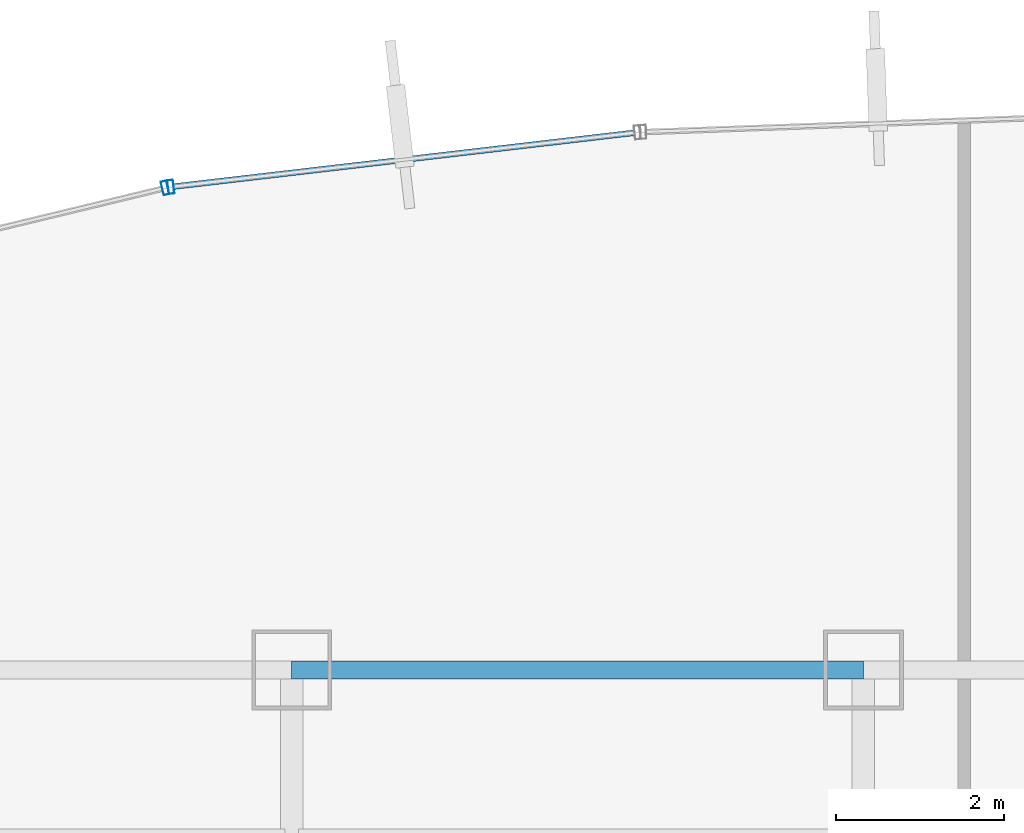
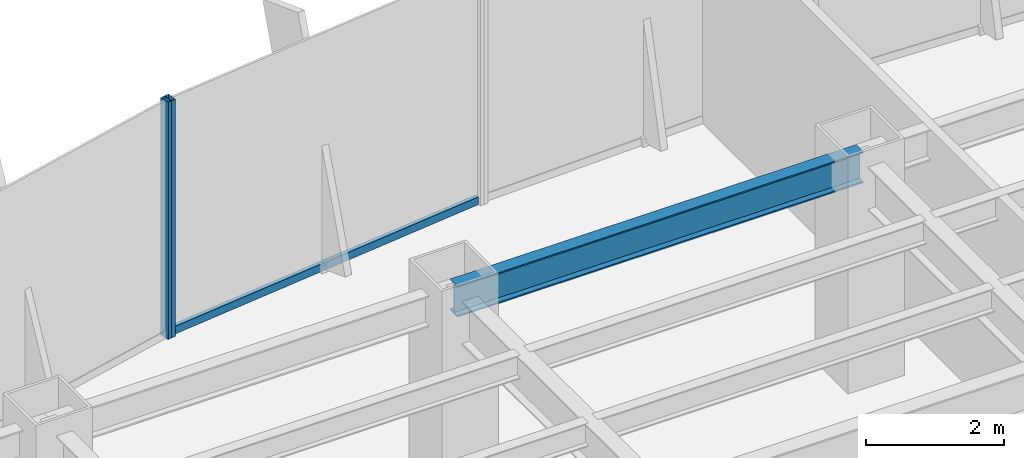
# One storey, part 20 of 35: 3 members, 1 beam, 2 elements without a shape of their own.
"""IFC4 building model written with IfcOpenShell, lengths in metres."""

import ifcopenshell
import ifcopenshell.guid

model = None  # the IFC model being written
_history = None  # IfcOwnerHistory: only IFC2X3 demands one
_inside = {}  # id of a spatial element -> (the spatial element, [elements in it])
_under = {}  # id of a project, library or spatial element -> (it, [spatial elements below it])
_declared = {}  # id of a project -> (the project, [libraries it declares])
_typed = {}  # id of a type object -> (the type object, [elements of that type])
_made_of = {}  # id of a material, layer set ... -> (it, [elements and type objects made of it])


def new_model(schema):
    """Start an empty IFC model of exactly this schema.

    Asked for "IFC4X3", IfcOpenShell would pick the latest addendum, in which some entities
    have other attributes; the version numbers below select the first issue.
    IFC2X3 requires an IfcOwnerHistory on every rooted entity: one is made here for all.
    """
    global model, _history
    if schema == "IFC4X3":
        model = ifcopenshell.file(schema_version=(4, 3, 0, 0))
    else:
        model = ifcopenshell.file(schema=schema)
    _inside.clear()
    _under.clear()
    _declared.clear()
    _typed.clear()
    _made_of.clear()
    _history = None
    if model.schema == "IFC2X3":
        org = make("IfcOrganization", Name="unknown")
        user = make(
            "IfcPersonAndOrganization",
            ThePerson=make("IfcPerson", FamilyName="unknown"),
            TheOrganization=org,
        )
        app = make(
            "IfcApplication",
            ApplicationDeveloper=org,
            Version="unknown",
            ApplicationFullName="unknown",
            ApplicationIdentifier="unknown",
        )
        _history = make(
            "IfcOwnerHistory",
            OwningUser=user,
            OwningApplication=app,
            ChangeAction="ADDED",
            CreationDate=0,
        )
    return model


def make(cls, **values):
    """One entity of the class cls with the attributes given. An attribute that is None is left unset."""
    return model.create_entity(
        cls, **{name: value for name, value in values.items() if value is not None}
    )


def rooted(cls, **values):
    """An entity with a GlobalId (a new one), such as an element, a storey or a relation."""
    return make(cls, GlobalId=ifcopenshell.guid.new(), OwnerHistory=_history, **values)


def si_unit(unit_type, name, prefix=None):
    """IfcSIUnit, for example si_unit("LENGTHUNIT", "METRE", prefix="MILLI")."""
    return make("IfcSIUnit", UnitType=unit_type, Prefix=prefix, Name=name)


def derived_unit(unit_type, elements):
    """IfcDerivedUnit: a product of units, each with its exponent."""
    return make(
        "IfcDerivedUnit",
        Elements=[
            make("IfcDerivedUnitElement", Unit=unit, Exponent=power)
            for unit, power in elements
        ],
        UnitType=unit_type,
    )


def assignment(units):
    """IfcUnitAssignment: the units of a project."""
    return None if units is None else make("IfcUnitAssignment", Units=units)


def point(xyz):
    """IfcCartesianPoint."""
    return None if xyz is None else make("IfcCartesianPoint", Coordinates=xyz)


def direction(xyz):
    """IfcDirection."""
    return None if xyz is None else make("IfcDirection", DirectionRatios=xyz)


def frame(location, z_axis=None, x_axis=None):
    """IfcAxis2Placement3D, a coordinate frame: its origin and axes. An axis left out is left unset."""
    return make(
        "IfcAxis2Placement3D",
        Location=point(location),
        Axis=direction(z_axis),
        RefDirection=direction(x_axis),
    )


def frame_2d(location, x_axis=None):
    """IfcAxis2Placement2D, a coordinate frame in the plane: its origin and x axis."""
    return make(
        "IfcAxis2Placement2D", Location=point(location), RefDirection=direction(x_axis)
    )


def origin():
    """The frame at (0, 0, 0) with its axes left unset."""
    return frame((0.0, 0.0, 0.0))


def origin_2d():
    """The frame at (0, 0) in the plane with its x axis left unset."""
    return frame_2d((0.0, 0.0))


def place(relative_to, where):
    """IfcLocalPlacement: puts the frame where relative to a parent placement (None: the world)."""
    return make(
        "IfcLocalPlacement", PlacementRelTo=relative_to, RelativePlacement=where
    )


def context(
    kind, dimensions, precision=None, world=None, true_north=None, identifier=None
):
    """IfcGeometricRepresentationContext, for example the 3D "Model" context."""
    return make(
        "IfcGeometricRepresentationContext",
        ContextIdentifier=identifier,
        ContextType=kind,
        CoordinateSpaceDimension=dimensions,
        Precision=precision,
        WorldCoordinateSystem=world,
        TrueNorth=true_north,
    )


def subcontext(parent, identifier, kind, view, scale=None):
    """IfcGeometricRepresentationSubContext, for example "Body" below "Model"."""
    return make(
        "IfcGeometricRepresentationSubContext",
        ContextIdentifier=identifier,
        ContextType=kind,
        ParentContext=parent,
        TargetScale=scale,
        TargetView=view,
    )


def project(units=None, contexts=None):
    """IfcProject with its units and contexts."""
    return rooted(
        "IfcProject",
        Name="project",
        RepresentationContexts=contexts,
        UnitsInContext=assignment(units),
    )


def spatial(cls, under=None, at=None, **own):
    """A site, building, storey or space (cls), placed at a placement, below another one or the project."""
    s = rooted(cls, ObjectPlacement=at, **own)
    if under is not None:
        _under.setdefault(under.id(), (under, []))[1].append(s)
    return s


def profile(cls, at=None, kind="AREA", **sizes):
    """A parametric profile (cls). Its sizes go by their IFC names, for example OverallWidth=200.0."""
    return make(cls, ProfileType=kind, Position=at, **sizes)


def hollow_rectangle(**sizes):
    """IfcRectangleHollowProfileDef."""
    return profile("IfcRectangleHollowProfileDef", **sizes)


def i_section(**sizes):
    """IfcIShapeProfileDef."""
    return profile("IfcIShapeProfileDef", **sizes)


def extrude(swept, where, along, depth):
    """IfcExtrudedAreaSolid: the profile swept, set in the frame where, extruded along a direction by depth."""
    return make(
        "IfcExtrudedAreaSolid",
        SweptArea=swept,
        Position=where,
        ExtrudedDirection=direction(along),
        Depth=depth,
    )


def shape(context_of_items, identifier, shape_type, items):
    """IfcShapeRepresentation: the items that make up one representation, for example the "Body"."""
    return make(
        "IfcShapeRepresentation",
        ContextOfItems=context_of_items,
        RepresentationIdentifier=identifier,
        RepresentationType=shape_type,
        Items=items,
    )


def source(mapping_origin, context_of_items, identifier, shape_type, items):
    """IfcRepresentationMap: a shape defined once, which mapped items show again and again."""
    return make(
        "IfcRepresentationMap",
        MappingOrigin=mapping_origin,
        MappedRepresentation=shape(context_of_items, identifier, shape_type, items),
    )


def transform(
    local_origin,
    x_axis=None,
    y_axis=None,
    z_axis=None,
    scale=None,
    scale2=None,
    scale3=None,
    uniform=True,
):
    """IfcCartesianTransformationOperator3D, or its non-uniform kind. x_axis, y_axis, z_axis: its Axis1, 2, 3."""
    if uniform:
        return make(
            "IfcCartesianTransformationOperator3D",
            Axis1=direction(x_axis),
            Axis2=direction(y_axis),
            LocalOrigin=point(local_origin),
            Scale=scale,
            Axis3=direction(z_axis),
        )
    return make(
        "IfcCartesianTransformationOperator3DnonUniform",
        Axis1=direction(x_axis),
        Axis2=direction(y_axis),
        LocalOrigin=point(local_origin),
        Scale=scale,
        Axis3=direction(z_axis),
        Scale2=scale2,
        Scale3=scale3,
    )


def mapped(mapping_source, mapping_target):
    """IfcMappedItem: shows the shape of a source again, moved by a transform."""
    return make(
        "IfcMappedItem", MappingSource=mapping_source, MappingTarget=mapping_target
    )


def material(Name=None, Category=None):
    """IfcMaterial."""
    return make("IfcMaterial", Name=Name, Category=Category)


def material_profile(
    of_material, cross_section, Name=None, Category=None, Priority=None
):
    """IfcMaterialProfile: a cross section and its material."""
    return make(
        "IfcMaterialProfile",
        Name=Name,
        Material=of_material,
        Profile=cross_section,
        Priority=Priority,
        Category=Category,
    )


def profile_set(profiles, Name=None, composite=None):
    """IfcMaterialProfileSet."""
    return make(
        "IfcMaterialProfileSet",
        Name=Name,
        MaterialProfiles=profiles,
        CompositeProfile=composite,
    )


def made_of(thing, what):
    """Note that an element or type object is made of a material, layer set ...; save() writes the relation."""
    if what is not None:
        _made_of.setdefault(what.id(), (what, []))[1].append(thing)
    return thing


def type_object(cls, material=None, **own):
    """A type object (cls), such as IfcWallType, which elements share."""
    return made_of(rooted(cls, **own), material)


def element(
    cls,
    number,
    at=None,
    inside=None,
    cuts=None,
    type_object=None,
    material=None,
    context=None,
    identifier="Body",
    shape_type=None,
    held_by="IfcProductDefinitionShape",
    body=None,
    shapes=None,
    **own,
):
    """One element of the class cls, such as IfcWall. Its Tag is "e" and its number.

    at: its placement. inside: the storey or other place that contains it. cuts: it is an
    opening in that element (IfcRelVoidsElement). A single representation is given by context,
    identifier, shape_type and body (its items); several are given by shapes. held_by: the class
    of the entity that holds the representations. save() writes the other relations.
    """
    e = rooted(cls, Tag="e%d" % number, ObjectPlacement=at, **own)
    if body is not None:
        shapes = [shape(context, identifier, shape_type, body)]
    if shapes is not None:
        e.Representation = make(held_by, Representations=shapes)
    if inside is not None:
        _inside.setdefault(inside.id(), (inside, []))[1].append(e)
    if cuts is not None:
        rooted(
            "IfcRelVoidsElement", RelatingBuildingElement=cuts, RelatedOpeningElement=e
        )
    if type_object is not None:
        _typed.setdefault(type_object.id(), (type_object, []))[1].append(e)
    return made_of(e, material)


def aggregate(whole, parts):
    """IfcRelAggregates: a whole, such as a stair, and the parts it consists of."""
    return rooted("IfcRelAggregates", RelatingObject=whole, RelatedObjects=parts)


def save(model, path):
    """Write the relations noted so far, then the file.

    IfcRelAggregates (storeys below a building ...), IfcRelContainedInSpatialStructure (elements
    in a storey), IfcRelDefinesByType, IfcRelAssociatesMaterial and IfcRelDeclares: one each for
    every whole, place, type object, material and project.
    """
    for whole, parts in _under.values():
        aggregate(whole, parts)
    for where, things in _inside.values():
        rooted(
            "IfcRelContainedInSpatialStructure",
            RelatedElements=things,
            RelatingStructure=where,
        )
    for kind, things in _typed.values():
        rooted("IfcRelDefinesByType", RelatedObjects=things, RelatingType=kind)
    for what, things in _made_of.values():
        rooted("IfcRelAssociatesMaterial", RelatedObjects=things, RelatingMaterial=what)
    for by, libraries in _declared.values():
        rooted("IfcRelDeclares", RelatingContext=by, RelatedDefinitions=libraries)
    model.write(path)


model = new_model("IFC4")

# Units and contexts
model_context = context("Model", 3, precision=1e-05, world=origin(), true_north=direction((0.0, 1.0)))
body_context = subcontext(model_context, "Body", "Model", "MODEL_VIEW")
ifc_project = project(units=[si_unit("LENGTHUNIT", "METRE"), si_unit("AREAUNIT", "SQUARE_METRE"), si_unit("VOLUMEUNIT", "CUBIC_METRE"), si_unit("PLANEANGLEUNIT", "RADIAN"), si_unit("MASSUNIT", "GRAM", prefix="KILO"), derived_unit("THERMALTRANSMITTANCEUNIT", [(si_unit("POWERUNIT", "WATT"), 1), (si_unit("LENGTHUNIT", "METRE"), -2), (si_unit("THERMODYNAMICTEMPERATUREUNIT", "KELVIN"), -1)])], contexts=[model_context])

# Site, building, storey
site_placement = place(None, origin())
site = spatial("IfcSite", under=ifc_project, at=site_placement, CompositionType="ELEMENT")
building_placement = place(site_placement, origin())
building = spatial("IfcBuilding", under=site, at=building_placement, Name="Skarnbrae Concourse Arena and Tower", CompositionType="ELEMENT")
storey_placement = place(building_placement, frame((0.0, 0.0, 79.949951171875)))
storey = spatial("IfcBuildingStorey", under=building, at=storey_placement, Name="L19", CompositionType="ELEMENT", Elevation=79.949951171875)

# Beam
ifc_material_1 = material(Name="Steel CSA G40.21 350W", Category="steel")
ifc_material_profile_1 = material_profile(ifc_material_1, i_section(OverallWidth=0.214111328125, OverallDepth=0.549072265625, WebThickness=0.0146484375, FlangeThickness=0.023681640625, at=origin_2d()), Name="W530X138")
ifc_profile_set_1 = profile_set([ifc_material_profile_1], Name="Steel CSA G40.21 350W")
beam_type = type_object("IfcBeamType", Name="BM-SPAN-W530X138", PredefinedType="SPANDREL", material=ifc_profile_set_1)
shared_shape_1 = source(origin(), body_context, "Body", "SweptSolid", [
    extrude(i_section(OverallWidth=0.214111328125, OverallDepth=0.549072265625, WebThickness=0.0146484375, FlangeThickness=0.023681640625, at=origin_2d()), origin(), (0.0, 0.0, 1.0), 6.800048828125),
])
beam_placement = place(storey_placement, frame((21.199951171875, 40.39990234375, 3.62548828125), z_axis=(1.0, 0.0, 0.0), x_axis=(0.0, 1.0, 0.0)))
element("IfcBeam", 1, at=beam_placement, inside=storey, type_object=beam_type, Name="L19 Perimeter spandrel Y40.4-3", PredefinedType="SPANDREL", context=body_context, shape_type="MappedRepresentation", body=[
    mapped(shared_shape_1, transform((0.0, 0.0, 0.0))),
])

# Curtain wall, member
ifc_material_2 = material(Name="Bronze anodised aluminium 6063-T6", Category="aluminium")
curtain_wall_type = type_object("IfcCurtainWallType", Name="CW-SYS-06-SKYLOBBY", PredefinedType="USERDEFINED", material=ifc_material_2)
curtain_wall_1_placement = place(storey_placement, origin())
curtain_wall_1 = element("IfcCurtainWall", 2, at=curtain_wall_1_placement, inside=storey, type_object=curtain_wall_type, Name="L19 Unitised curtain wall CW-L19-E13", ObjectType="UNITISED CURTAIN WALL", PredefinedType="USERDEFINED")
ifc_material_profile_2 = material_profile(ifc_material_2, hollow_rectangle(XDim=0.070068359375, YDim=0.1650390625, WallThickness=0.00390625, at=origin_2d()), Name="ALU-MULL-70X165")
ifc_profile_set_2 = profile_set([ifc_material_profile_2], Name="Bronze anodised aluminium 6063-T6")
member_type_1 = type_object("IfcMemberType", Name="CWM-CW-06", PredefinedType="MULLION", material=ifc_profile_set_2)
shared_shape_2 = source(origin(), body_context, "Body", "SweptSolid", [
    extrude(hollow_rectangle(XDim=0.070068359375, YDim=0.1650390625, WallThickness=0.00390625, at=origin_2d()), origin(), (0.0, 0.0, 1.0), 4.199951171875),
])
member_1_placement = place(storey_placement, frame((19.762451171875, 46.14453125, 0.0), z_axis=(0.0, 0.0, 1.0), x_axis=(-0.99324457001, -0.116039752435, 0.0)))
member_1 = element("IfcMember", 3, at=member_1_placement, type_object=member_type_1, Name="CW-L19-E13 Mullion 2", PredefinedType="MULLION", context=body_context, shape_type="MappedRepresentation", body=[
    mapped(shared_shape_2, transform((0.0, 0.0, 0.0))),
])

curtain_wall_2_placement = place(storey_placement, origin())
curtain_wall_2 = element("IfcCurtainWall", 4, at=curtain_wall_2_placement, inside=storey, type_object=curtain_wall_type, Name="L19 Unitised curtain wall CW-L19-E14", ObjectType="UNITISED CURTAIN WALL", PredefinedType="USERDEFINED")
member_2_placement = place(storey_placement, frame((19.693603515625, 46.13232421875, 0.0), z_axis=(0.0, 0.0, 1.0), x_axis=(-0.971973721569, -0.235089524607, 0.0)))
member_2 = element("IfcMember", 5, at=member_2_placement, type_object=member_type_1, Name="CW-L19-E14 Mullion 1", PredefinedType="MULLION", context=body_context, shape_type="MappedRepresentation", body=[
    mapped(shared_shape_2, transform((0.0, 0.0, 0.0))),
])
aggregate(curtain_wall_2, [member_2])

# Member
ifc_material_profile_3 = material_profile(ifc_material_2, hollow_rectangle(XDim=0.070068359375, YDim=0.135009765625, WallThickness=0.00390625, at=origin_2d()), Name="ALU-TRAN-70X135")
ifc_profile_set_3 = profile_set([ifc_material_profile_3], Name="Bronze anodised aluminium 6063-T6")
member_type_2 = type_object("IfcMemberType", Name="CWT-CW-06", PredefinedType="USERDEFINED", material=ifc_profile_set_3)
shared_shape_3 = source(origin(), body_context, "Body", "SweptSolid", [
    extrude(hollow_rectangle(XDim=0.070068359375, YDim=0.135009765625, WallThickness=0.00390625, at=origin_2d()), origin(), (0.0, 0.0, 1.0), 5.516845703125),
])
member_3_placement = place(storey_placement, frame((25.276611328125, 46.788818359375, 0.067626953125), z_axis=(-0.99324512944, -0.116034963883, 0.0), x_axis=(0.116034963883, -0.99324512944, 0.0)))
member_3 = element("IfcMember", 6, at=member_3_placement, type_object=member_type_2, Name="CW-L19-E13 Transom 1", ObjectType="TRANSOM", PredefinedType="USERDEFINED", context=body_context, shape_type="MappedRepresentation", body=[
    mapped(shared_shape_3, transform((0.0, 0.0, 0.0))),
])

aggregate(curtain_wall_1, [member_1, member_3])

save(model, "model.ifc")
